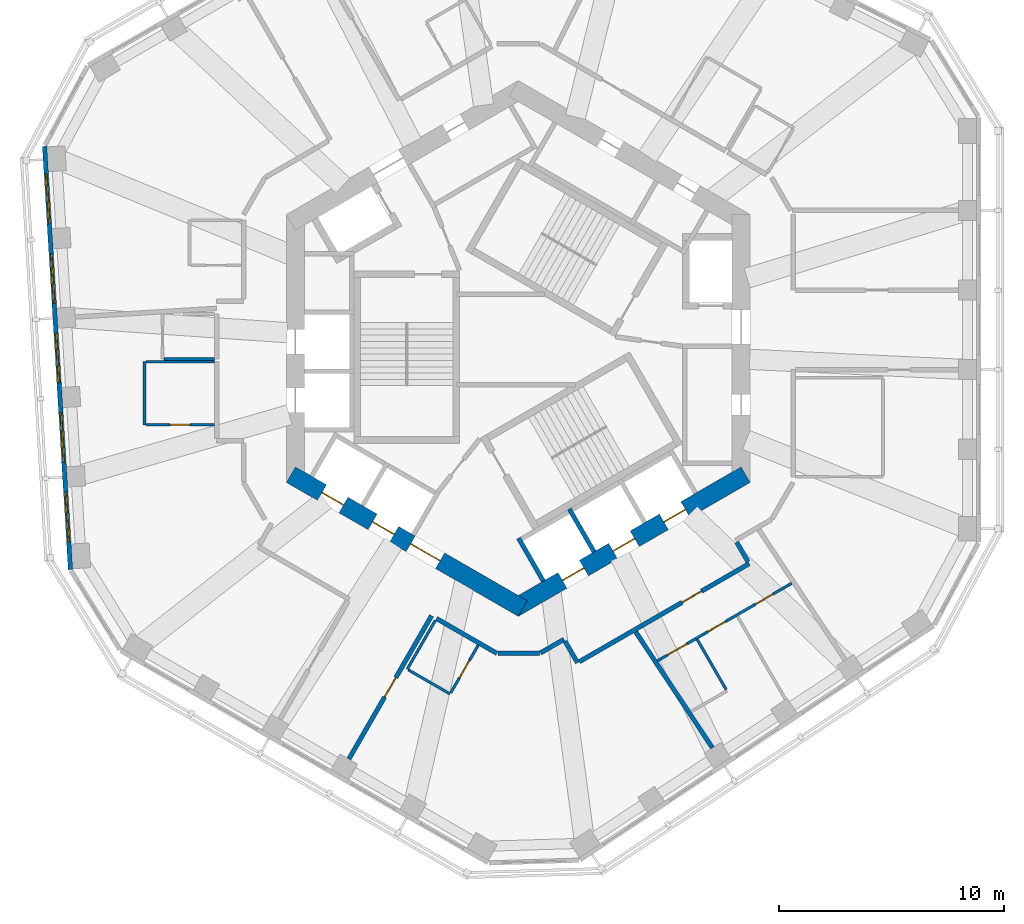
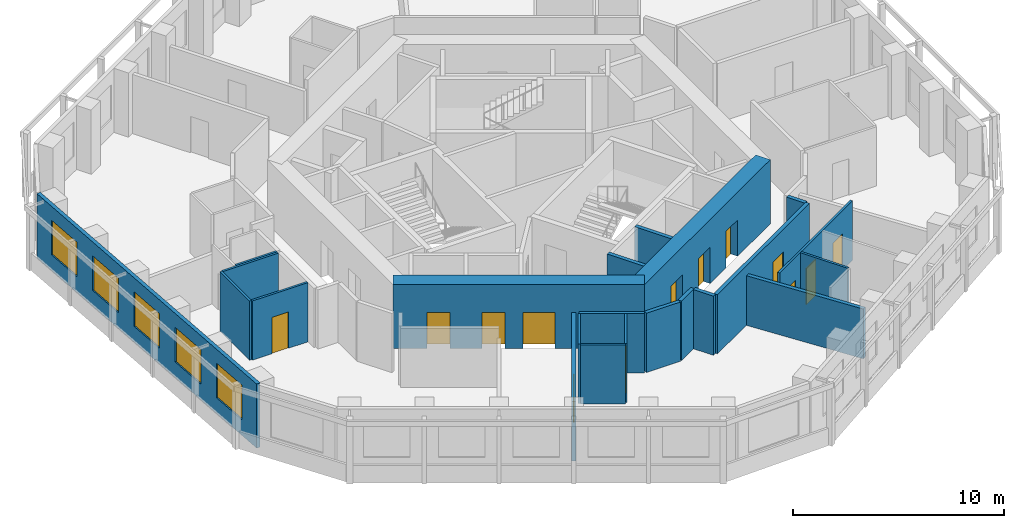
# One storey, part 4 of 11: 22 walls, 13 doors, 5 windows, 18 openings.
"""IFC4 building model written with IfcOpenShell, lengths in metres."""

from ifc_helpers import new_model, si_unit, direction, frame, frame_2d, origin, place, context, subcontext, project, spatial, rectangle, extrude, material, layer, layer_set, type_object, element, fill, save


model = new_model("IFC4")

# Units and contexts
model_context = context("Model", 3, precision=1e-05, world=origin(), true_north=direction((0.0, 1.0)))
body_context = subcontext(model_context, "Body", "Model", "MODEL_VIEW")
ifc_project = project(units=[si_unit("LENGTHUNIT", "METRE"), si_unit("AREAUNIT", "SQUARE_METRE"), si_unit("VOLUMEUNIT", "CUBIC_METRE"), si_unit("PLANEANGLEUNIT", "RADIAN"), si_unit("MASSUNIT", "GRAM", prefix="KILO")], contexts=[model_context])

# Site, building, storey
site_placement = place(None, origin())
site = spatial("IfcSite", under=ifc_project, at=site_placement, CompositionType="ELEMENT")
building_placement = place(site_placement, origin())
building = spatial("IfcBuilding", under=site, at=building_placement, Name="Vanh Sen Convention Tower", CompositionType="ELEMENT")
storey_placement = place(building_placement, frame((0.0, 0.0, 240.199951171875)))
storey = spatial("IfcBuildingStorey", under=building, at=storey_placement, Name="L59", CompositionType="ELEMENT", Elevation=240.199951171875)

# Walls
ifc_material_1 = material(Name="Moisture-resistant gypsum board on steel studs", Category="steel")
ifc_layer_1 = layer(ifc_material_1, 0.1201171875)
ifc_layer_set_1 = layer_set([ifc_layer_1], Name="Moisture-resistant gypsum board on steel studs")
wall_type_1 = type_object("IfcWallType", Name="Bathroom partition 120", PredefinedType="PARTITIONING", material=ifc_layer_set_1)
wall_1_placement = place(storey_placement, frame((-16.60107421875, -3.38671875, 0.0), z_axis=(0.0, 0.0, 1.0), x_axis=(0.0, 1.0, 0.0)))
element("IfcWall", 1, at=wall_1_placement, inside=storey, type_object=wall_type_1, Name="Bathroom partition 120", PredefinedType="PARTITIONING", context=body_context, shape_type="SweptSolid", body=[
    extrude(rectangle(XDim=2.800048828125, YDim=0.1201171875, at=frame_2d((1.39990234375, 0.0))), origin(), (0.0, 0.0, 1.0), 3.420166015625),
])
wall_2_placement = place(storey_placement, frame((-16.541015625, -0.586669921875, 0.0), z_axis=(0.0, 0.0, 1.0), x_axis=(1.0, 0.0, 0.0)))
element("IfcWall", 2, at=wall_2_placement, inside=storey, type_object=wall_type_1, Name="Bathroom partition 120", PredefinedType="PARTITIONING", context=body_context, shape_type="SweptSolid", body=[
    extrude(rectangle(XDim=3.0400390625, YDim=0.1201171875, at=frame_2d((1.52001953125, 0.0))), origin(), (0.0, 0.0, 1.0), 3.420166015625),
])

# Wall, opening, door
wall_3_placement = place(storey_placement, frame((-13.5009765625, -3.38671875, 0.0), z_axis=(0.0, 0.0, 1.0), x_axis=(-1.0, 0.0, 0.0)))
wall_3 = element("IfcWall", 3, at=wall_3_placement, inside=storey, type_object=wall_type_1, Name="Bathroom partition 120", PredefinedType="PARTITIONING", context=body_context, shape_type="SweptSolid", body=[
    extrude(rectangle(XDim=3.0400390625, YDim=0.1201171875, at=frame_2d((1.52001953125, 0.0))), origin(), (0.0, 0.0, 1.0), 3.420166015625),
])
opening_1_placement = place(wall_3_placement, frame((1.070068359375, 0.0, 0.0)))
opening_1 = element("IfcOpeningElement", 4, at=opening_1_placement, cuts=wall_3, Name="Opening D59111", PredefinedType="OPENING", context=body_context, shape_type="SweptSolid", body=[
    extrude(rectangle(XDim=0.89990234375, YDim=2.10009765625, at=frame_2d((0.449951171875, 1.050048828125))), frame((0.0, 0.070068359375, 0.0), z_axis=(0.0, -1.0, 0.0), x_axis=(1.0, 0.0, 0.0)), (0.0, 0.0, 1.0), 0.14013671875),
])
ifc_material_2 = material(Name="Laminate door in steel frame", Category="steel")
door_type_1 = type_object("IfcDoorType", Name="Room internal door 900", OperationType="SINGLE_SWING_LEFT", PredefinedType="DOOR", material=ifc_material_2)
door_1_placement = place(opening_1_placement, origin())
door_1 = element("IfcDoor", 5, at=door_1_placement, inside=storey, type_object=door_type_1, Name="Internal room door D59111", OperationType="SINGLE_SWING_LEFT", OverallHeight=2.10009765625, OverallWidth=0.89990234375, PredefinedType="DOOR", context=body_context, shape_type="SweptSolid", body=[
    extrude(rectangle(XDim=0.89990234375, YDim=2.10009765625, at=frame_2d((0.449951171875, 1.050048828125))), frame((0.0, 0.02490234375, 0.0), z_axis=(0.0, -1.0, 0.0), x_axis=(1.0, 0.0, 0.0)), (0.0, 0.0, 1.0), 0.050048828125),
])
fill(opening_1, door_1)

# Walls
wall_4_placement = place(storey_placement, frame((-13.5009765625, -0.466796875, 0.0), z_axis=(0.0, 0.0, 1.0), x_axis=(-1.0, 0.0, 0.0)))
element("IfcWall", 6, at=wall_4_placement, inside=storey, type_object=wall_type_1, Name="Bathroom partition 120", PredefinedType="PARTITIONING", context=body_context, shape_type="SweptSolid", body=[
    extrude(rectangle(XDim=2.239990234375, YDim=0.1201171875, at=frame_2d((1.1201171875, 0.0))), origin(), (0.0, 0.0, 1.0), 3.420166015625),
])
wall_5_placement = place(storey_placement, frame((-4.93359375, -14.2412109375, 0.0), z_axis=(0.0, 0.0, 1.0), x_axis=(0.500004234368, 0.866022959057, 0.0)))
element("IfcWall", 7, at=wall_5_placement, inside=storey, type_object=wall_type_1, Name="Bathroom partition 120", PredefinedType="PARTITIONING", context=body_context, shape_type="SweptSolid", body=[
    extrude(rectangle(XDim=2.5, YDim=0.1201171875, at=frame_2d((1.25, 0.0))), origin(), (0.0, 0.0, 1.0), 3.420166015625),
])
wall_6_placement = place(storey_placement, frame((-3.0283203125, -15.34130859375, 0.0), z_axis=(0.0, 0.0, 1.0), x_axis=(-0.86600889856, 0.500028586798, 0.0)))
element("IfcWall", 8, at=wall_6_placement, inside=storey, type_object=wall_type_1, Name="Bathroom partition 120", PredefinedType="PARTITIONING", context=body_context, shape_type="SweptSolid", body=[
    extrude(rectangle(XDim=2.139892578125, YDim=0.1201171875, at=frame_2d((1.06982421875, 0.0))), origin(), (0.0, 0.0, 1.0), 3.420166015625),
])

# Wall, opening, door
wall_7_placement = place(storey_placement, frame((-1.7783203125, -13.17626953125, 0.0), z_axis=(0.0, 0.0, 1.0), x_axis=(-0.500002508028, -0.866023955769, 0.0)))
wall_7 = element("IfcWall", 9, at=wall_7_placement, inside=storey, type_object=wall_type_1, Name="Bathroom partition 120", PredefinedType="PARTITIONING", context=body_context, shape_type="SweptSolid", body=[
    extrude(rectangle(XDim=2.43994140625, YDim=0.1201171875, at=frame_2d((1.219970703125, 0.0))), origin(), (0.0, 0.0, 1.0), 3.420166015625),
])
opening_2_placement = place(wall_7_placement, frame((0.77001953125, 0.0, 0.0)))
opening_2 = element("IfcOpeningElement", 10, at=opening_2_placement, cuts=wall_7, Name="Opening D59113", PredefinedType="OPENING", context=body_context, shape_type="SweptSolid", body=[
    extrude(rectangle(XDim=0.89990234375, YDim=2.10009765625, at=frame_2d((0.449951171875, 1.050048828125))), frame((0.0, 0.070068359375, 0.0), z_axis=(0.0, -1.0, 0.0), x_axis=(1.0, 0.0, 0.0)), (0.0, 0.0, 1.0), 0.14013671875),
])
door_2_placement = place(opening_2_placement, origin())
door_2 = element("IfcDoor", 11, at=door_2_placement, inside=storey, type_object=door_type_1, Name="Internal room door D59113", OperationType="SINGLE_SWING_LEFT", OverallHeight=2.10009765625, OverallWidth=0.89990234375, PredefinedType="DOOR", context=body_context, shape_type="SweptSolid", body=[
    extrude(rectangle(XDim=0.89990234375, YDim=2.10009765625, at=frame_2d((0.449951171875, 1.050048828125))), frame((0.0, 0.02490234375, 0.0), z_axis=(0.0, -1.0, 0.0), x_axis=(1.0, 0.0, 0.0)), (0.0, 0.0, 1.0), 0.050048828125),
])
fill(opening_2, door_2)

# Wall, openings, doors
wall_8_placement = place(storey_placement, frame((6.1826171875, -13.867431640625, 0.0), z_axis=(0.0, 0.0, 1.0), x_axis=(0.866031365477, 0.499989673903, 0.0)))
wall_8 = element("IfcWall", 12, at=wall_8_placement, inside=storey, type_object=wall_type_1, Name="Bathroom partition 120", PredefinedType="PARTITIONING", context=body_context, shape_type="SweptSolid", body=[
    extrude(rectangle(XDim=6.880615234375, YDim=0.1201171875, at=frame_2d((3.4404296875, 0.0))), origin(), (0.0, 0.0, 1.0), 3.420166015625),
])
opening_3_placement = place(wall_8_placement, frame((0.5, 0.0, 0.0)))
opening_3 = element("IfcOpeningElement", 13, at=opening_3_placement, cuts=wall_8, Name="Opening D59115", PredefinedType="OPENING", context=body_context, shape_type="SweptSolid", body=[
    extrude(rectangle(XDim=1.0, YDim=2.10009765625, at=frame_2d((0.5, 1.050048828125))), frame((0.0, 0.070068359375, 0.0), z_axis=(0.0, -1.0, 0.0), x_axis=(1.0, 0.0, 0.0)), (0.0, 0.0, 1.0), 0.14013671875),
])
opening_4_placement = place(wall_8_placement, frame((2.58251953125, 0.0, 0.0)))
opening_4 = element("IfcOpeningElement", 14, at=opening_4_placement, cuts=wall_8, Name="Opening D59116", PredefinedType="OPENING", context=body_context, shape_type="SweptSolid", body=[
    extrude(rectangle(XDim=0.89990234375, YDim=2.10009765625, at=frame_2d((0.449951171875, 1.050048828125))), frame((0.0, 0.070068359375, 0.0), z_axis=(0.0, -1.0, 0.0), x_axis=(1.0, 0.0, 0.0)), (0.0, 0.0, 1.0), 0.14013671875),
])
opening_5_placement = place(wall_8_placement, frame((5.022705078125, 0.0, 0.0)))
opening_5 = element("IfcOpeningElement", 15, at=opening_5_placement, cuts=wall_8, Name="Opening D59117", PredefinedType="OPENING", context=body_context, shape_type="SweptSolid", body=[
    extrude(rectangle(XDim=0.89990234375, YDim=2.10009765625, at=frame_2d((0.449951171875, 1.050048828125))), frame((0.0, 0.070068359375, 0.0), z_axis=(0.0, -1.0, 0.0), x_axis=(1.0, 0.0, 0.0)), (0.0, 0.0, 1.0), 0.14013671875),
])
door_type_2 = type_object("IfcDoorType", Name="Accessible WC door 1000", OperationType="SINGLE_SWING_LEFT", PredefinedType="DOOR", material=ifc_material_2)
door_3_placement = place(opening_3_placement, origin())
door_3 = element("IfcDoor", 16, at=door_3_placement, inside=storey, type_object=door_type_2, Name="Accessible WC door D59115", OperationType="SINGLE_SWING_LEFT", OverallHeight=2.10009765625, OverallWidth=1.0, PredefinedType="DOOR", context=body_context, shape_type="SweptSolid", body=[
    extrude(rectangle(XDim=1.0, YDim=2.10009765625, at=frame_2d((0.5, 1.050048828125))), frame((0.0, 0.02490234375, 0.0), z_axis=(0.0, -1.0, 0.0), x_axis=(1.0, 0.0, 0.0)), (0.0, 0.0, 1.0), 0.050048828125),
])
fill(opening_3, door_3)
door_4_placement = place(opening_4_placement, origin())
door_4 = element("IfcDoor", 17, at=door_4_placement, inside=storey, type_object=door_type_1, Name="Internal room door D59116", OperationType="SINGLE_SWING_LEFT", OverallHeight=2.10009765625, OverallWidth=0.89990234375, PredefinedType="DOOR", context=body_context, shape_type="SweptSolid", body=[
    extrude(rectangle(XDim=0.89990234375, YDim=2.10009765625, at=frame_2d((0.449951171875, 1.050048828125))), frame((0.0, 0.02490234375, 0.0), z_axis=(0.0, -1.0, 0.0), x_axis=(1.0, 0.0, 0.0)), (0.0, 0.0, 1.0), 0.050048828125),
])
fill(opening_4, door_4)
door_5_placement = place(opening_5_placement, origin())
door_5 = element("IfcDoor", 18, at=door_5_placement, inside=storey, type_object=door_type_1, Name="Internal room door D59117", OperationType="SINGLE_SWING_LEFT", OverallHeight=2.10009765625, OverallWidth=0.89990234375, PredefinedType="DOOR", context=body_context, shape_type="SweptSolid", body=[
    extrude(rectangle(XDim=0.89990234375, YDim=2.10009765625, at=frame_2d((0.449951171875, 1.050048828125))), frame((0.0, 0.02490234375, 0.0), z_axis=(0.0, -1.0, 0.0), x_axis=(1.0, 0.0, 0.0)), (0.0, 0.0, 1.0), 0.050048828125),
])
fill(opening_5, door_5)

# Wall
wall_9_placement = place(storey_placement, frame((9.23486328125, -15.15380859375, 0.0), z_axis=(0.0, 0.0, 1.0), x_axis=(-0.500006411147, 0.866021702275, 0.0)))
element("IfcWall", 19, at=wall_9_placement, inside=storey, type_object=wall_type_1, Name="Bathroom partition 120", PredefinedType="PARTITIONING", context=body_context, shape_type="SweptSolid", body=[
    extrude(rectangle(XDim=2.580078125, YDim=0.1201171875, at=frame_2d((1.2900390625, 0.0))), origin(), (0.0, 0.0, 1.0), 3.420166015625),
])

# Wall, openings, doors
ifc_material_3 = material(Name="Concrete C60/75", Category="concrete")
ifc_layer_2 = layer(ifc_material_3, 0.800048828125)
ifc_layer_set_2 = layer_set([ifc_layer_2], Name="Concrete C60/75")
wall_type_2 = type_object("IfcWallType", Name="Core outer wall 800 C60/75", PredefinedType="SHEAR", material=ifc_layer_set_2)
wall_10_placement = place(storey_placement, frame((-10.10009765625, -5.600341796875, 0.0), z_axis=(0.0, 0.0, 1.0), x_axis=(0.866023897231, -0.500002609418, 0.0)))
wall_10 = element("IfcWall", 20, at=wall_10_placement, inside=storey, type_object=wall_type_2, Name="Core wall face SW L59", PredefinedType="SHEAR", context=body_context, shape_type="SweptSolid", body=[
    extrude(rectangle(XDim=11.8935546875, YDim=0.800048828125, at=frame_2d((5.94677734375, 0.0))), origin(), (0.0, 0.0, 1.0), 3.699951171875),
])
opening_6_placement = place(wall_10_placement, frame((6.146728515625, 0.0, 0.0)))
opening_6 = element("IfcOpeningElement", 21, at=opening_6_placement, cuts=wall_10, Name="Opening D59003", PredefinedType="OPENING", context=body_context, shape_type="SweptSolid", body=[
    extrude(rectangle(XDim=1.5, YDim=2.10009765625, at=frame_2d((0.75, 1.050048828125))), frame((0.0, 0.409912109375, 0.0), z_axis=(0.0, -1.0, 0.0), x_axis=(1.0, 0.0, 0.0)), (0.0, 0.0, 1.0), 0.820068359375),
])
opening_7_placement = place(wall_10_placement, frame((1.5966796875, 0.0, 0.0)))
opening_7 = element("IfcOpeningElement", 22, at=opening_7_placement, cuts=wall_10, Name="Opening LD-HR3", PredefinedType="OPENING", context=body_context, shape_type="SweptSolid", body=[
    extrude(rectangle(XDim=1.10009765625, YDim=2.10009765625, at=frame_2d((0.550048828125, 1.050048828125))), frame((0.0, 0.409912109375, 0.0), z_axis=(0.0, -1.0, 0.0), x_axis=(1.0, 0.0, 0.0)), (0.0, 0.0, 1.0), 0.820068359375),
])
opening_8_placement = place(wall_10_placement, frame((4.19677734375, 0.0, 0.0)))
opening_8 = element("IfcOpeningElement", 23, at=opening_8_placement, cuts=wall_10, Name="Opening LD-HR4", PredefinedType="OPENING", context=body_context, shape_type="SweptSolid", body=[
    extrude(rectangle(XDim=1.10009765625, YDim=2.10009765625, at=frame_2d((0.550048828125, 1.050048828125))), frame((0.0, 0.409912109375, 0.0), z_axis=(0.0, -1.0, 0.0), x_axis=(1.0, 0.0, 0.0)), (0.0, 0.0, 1.0), 0.820068359375),
])
ifc_material_4 = material(Name="Stainless steel", Category="steel")
door_type_3 = type_object("IfcDoorType", Name="Lift landing door 1100", OperationType="DOUBLE_DOOR_SLIDING", PredefinedType="DOOR", material=ifc_material_4)
door_6_placement = place(opening_7_placement, origin())
door_6 = element("IfcDoor", 24, at=door_6_placement, inside=storey, type_object=door_type_3, Name="Lift HR3 landing door LD-HR3", OperationType="DOUBLE_DOOR_SLIDING", OverallHeight=2.10009765625, OverallWidth=1.10009765625, PredefinedType="DOOR", context=body_context, shape_type="SweptSolid", body=[
    extrude(rectangle(XDim=1.10009765625, YDim=2.10009765625, at=frame_2d((0.550048828125, 1.050048828125))), frame((0.0, 0.02490234375, 0.0), z_axis=(0.0, -1.0, 0.0), x_axis=(1.0, 0.0, 0.0)), (0.0, 0.0, 1.0), 0.050048828125),
])
fill(opening_7, door_6)
door_7_placement = place(opening_8_placement, origin())
door_7 = element("IfcDoor", 25, at=door_7_placement, inside=storey, type_object=door_type_3, Name="Lift HR4 landing door LD-HR4", OperationType="DOUBLE_DOOR_SLIDING", OverallHeight=2.10009765625, OverallWidth=1.10009765625, PredefinedType="DOOR", context=body_context, shape_type="SweptSolid", body=[
    extrude(rectangle(XDim=1.10009765625, YDim=2.10009765625, at=frame_2d((0.550048828125, 1.050048828125))), frame((0.0, 0.02490234375, 0.0), z_axis=(0.0, -1.0, 0.0), x_axis=(1.0, 0.0, 0.0)), (0.0, 0.0, 1.0), 0.050048828125),
])
fill(opening_8, door_7)
ifc_material_5 = material(Name="Steel S355", Category="steel")
door_type_4 = type_object("IfcDoorType", Name="Stair lobby door 1500", OperationType="DOUBLE_DOOR_SINGLE_SWING", PredefinedType="DOOR", material=ifc_material_5)
door_8_placement = place(opening_6_placement, origin())
door_8 = element("IfcDoor", 26, at=door_8_placement, inside=storey, type_object=door_type_4, Name="Stair lobby door D59003", OperationType="DOUBLE_DOOR_SINGLE_SWING", OverallHeight=2.10009765625, OverallWidth=1.5, PredefinedType="DOOR", context=body_context, shape_type="SweptSolid", body=[
    extrude(rectangle(XDim=1.5, YDim=2.10009765625, at=frame_2d((0.75, 1.050048828125))), frame((0.0, 0.02490234375, 0.0), z_axis=(0.0, -1.0, 0.0), x_axis=(1.0, 0.0, 0.0)), (0.0, 0.0, 1.0), 0.050048828125),
])
fill(opening_6, door_8)

wall_11_placement = place(storey_placement, frame((-0.199951171875, -11.547119140625, 0.0), z_axis=(0.0, 0.0, 1.0), x_axis=(0.866023897231, 0.500002609418, 0.0)))
wall_11 = element("IfcWall", 27, at=wall_11_placement, inside=storey, type_object=wall_type_2, Name="Core wall face SE L59", PredefinedType="SHEAR", context=body_context, shape_type="SweptSolid", body=[
    extrude(rectangle(XDim=11.8935546875, YDim=0.800048828125, at=frame_2d((5.94677734375, 0.0))), origin(), (0.0, 0.0, 1.0), 3.699951171875),
])
opening_9_placement = place(wall_11_placement, frame((2.49658203125, 0.0, 0.0)))
opening_9 = element("IfcOpeningElement", 28, at=opening_9_placement, cuts=wall_11, Name="Opening LD-HR5", PredefinedType="OPENING", context=body_context, shape_type="SweptSolid", body=[
    extrude(rectangle(XDim=1.10009765625, YDim=2.10009765625, at=frame_2d((0.550048828125, 1.050048828125))), frame((0.0, 0.409912109375, 0.0), z_axis=(0.0, -1.0, 0.0), x_axis=(1.0, 0.0, 0.0)), (0.0, 0.0, 1.0), 0.820068359375),
])
opening_10_placement = place(wall_11_placement, frame((5.0966796875, 0.0, 0.0)))
opening_10 = element("IfcOpeningElement", 29, at=opening_10_placement, cuts=wall_11, Name="Opening LD-HR6", PredefinedType="OPENING", context=body_context, shape_type="SweptSolid", body=[
    extrude(rectangle(XDim=1.10009765625, YDim=2.10009765625, at=frame_2d((0.550048828125, 1.050048828125))), frame((0.0, 0.409912109375, 0.0), z_axis=(0.0, -1.0, 0.0), x_axis=(1.0, 0.0, 0.0)), (0.0, 0.0, 1.0), 0.820068359375),
])
opening_11_placement = place(wall_11_placement, frame((7.69677734375, 0.0, 0.0)))
opening_11 = element("IfcOpeningElement", 30, at=opening_11_placement, cuts=wall_11, Name="Opening LD-SV1", PredefinedType="OPENING", context=body_context, shape_type="SweptSolid", body=[
    extrude(rectangle(XDim=1.10009765625, YDim=2.10009765625, at=frame_2d((0.550048828125, 1.050048828125))), frame((0.0, 0.409912109375, 0.0), z_axis=(0.0, -1.0, 0.0), x_axis=(1.0, 0.0, 0.0)), (0.0, 0.0, 1.0), 0.820068359375),
])
door_9_placement = place(opening_9_placement, origin())
door_9 = element("IfcDoor", 31, at=door_9_placement, inside=storey, type_object=door_type_3, Name="Lift HR5 landing door LD-HR5", OperationType="DOUBLE_DOOR_SLIDING", OverallHeight=2.10009765625, OverallWidth=1.10009765625, PredefinedType="DOOR", context=body_context, shape_type="SweptSolid", body=[
    extrude(rectangle(XDim=1.10009765625, YDim=2.10009765625, at=frame_2d((0.550048828125, 1.050048828125))), frame((0.0, 0.02490234375, 0.0), z_axis=(0.0, -1.0, 0.0), x_axis=(1.0, 0.0, 0.0)), (0.0, 0.0, 1.0), 0.050048828125),
])
fill(opening_9, door_9)
door_10_placement = place(opening_10_placement, origin())
door_10 = element("IfcDoor", 32, at=door_10_placement, inside=storey, type_object=door_type_3, Name="Lift HR6 landing door LD-HR6", OperationType="DOUBLE_DOOR_SLIDING", OverallHeight=2.10009765625, OverallWidth=1.10009765625, PredefinedType="DOOR", context=body_context, shape_type="SweptSolid", body=[
    extrude(rectangle(XDim=1.10009765625, YDim=2.10009765625, at=frame_2d((0.550048828125, 1.050048828125))), frame((0.0, 0.02490234375, 0.0), z_axis=(0.0, -1.0, 0.0), x_axis=(1.0, 0.0, 0.0)), (0.0, 0.0, 1.0), 0.050048828125),
])
fill(opening_10, door_10)
door_11_placement = place(opening_11_placement, origin())
door_11 = element("IfcDoor", 33, at=door_11_placement, inside=storey, type_object=door_type_3, Name="Lift SV1 landing door LD-SV1", OperationType="DOUBLE_DOOR_SLIDING", OverallHeight=2.10009765625, OverallWidth=1.10009765625, PredefinedType="DOOR", context=body_context, shape_type="SweptSolid", body=[
    extrude(rectangle(XDim=1.10009765625, YDim=2.10009765625, at=frame_2d((0.550048828125, 1.050048828125))), frame((0.0, 0.02490234375, 0.0), z_axis=(0.0, -1.0, 0.0), x_axis=(1.0, 0.0, 0.0)), (0.0, 0.0, 1.0), 0.050048828125),
])
fill(opening_11, door_11)

# Wall, opening, door
ifc_material_6 = material(Name="Gypsum board on steel studs with mineral wool", Category="steel")
ifc_layer_3 = layer(ifc_material_6, 0.199951171875)
ifc_layer_set_3 = layer_set([ifc_layer_3], Name="Gypsum board on steel studs with mineral wool")
wall_type_3 = type_object("IfcWallType", Name="Corridor partition wall 200", PredefinedType="PARTITIONING", material=ifc_layer_set_3)
wall_12_placement = place(storey_placement, frame((-7.52490234375, -18.229736328125, 0.0), z_axis=(0.0, 0.0, 1.0), x_axis=(0.499983153418, 0.866035129944, 0.0)))
wall_12 = element("IfcWall", 34, at=wall_12_placement, inside=storey, type_object=wall_type_3, Name="Corridor partition wall 200", PredefinedType="PARTITIONING", context=body_context, shape_type="SweptSolid", body=[
    extrude(rectangle(XDim=7.349853515625, YDim=0.199951171875, at=frame_2d((3.6748046875, 0.0))), origin(), (0.0, 0.0, 1.0), 3.420166015625),
])
opening_12_placement = place(wall_12_placement, frame((3.175048828125, 0.0, 0.0)))
opening_12 = element("IfcOpeningElement", 35, at=opening_12_placement, cuts=wall_12, Name="Opening D59112", PredefinedType="OPENING", context=body_context, shape_type="SweptSolid", body=[
    extrude(rectangle(XDim=1.0, YDim=2.10009765625, at=frame_2d((0.5, 1.050048828125))), frame((0.0, 0.10986328125, 0.0), z_axis=(0.0, -1.0, 0.0), x_axis=(1.0, 0.0, 0.0)), (0.0, 0.0, 1.0), 0.219970703125),
])
ifc_material_7 = material(Name="Glazed fire door in steel frame", Category="steel")
door_type_5 = type_object("IfcDoorType", Name="Tenant entrance door 1000", OperationType="SINGLE_SWING_LEFT", PredefinedType="DOOR", material=ifc_material_7)
door_12_placement = place(opening_12_placement, origin())
door_12 = element("IfcDoor", 36, at=door_12_placement, inside=storey, type_object=door_type_5, Name="Tenant suite entrance door D59112", OperationType="SINGLE_SWING_LEFT", OverallHeight=2.10009765625, OverallWidth=1.0, PredefinedType="DOOR", context=body_context, shape_type="SweptSolid", body=[
    extrude(rectangle(XDim=1.0, YDim=2.10009765625, at=frame_2d((0.5, 1.050048828125))), frame((0.0, 0.02490234375, 0.0), z_axis=(0.0, -1.0, 0.0), x_axis=(1.0, 0.0, 0.0)), (0.0, 0.0, 1.0), 0.050048828125),
])
fill(opening_12, door_12)

# Walls
wall_13_placement = place(storey_placement, frame((-3.633544921875, -11.989501953125, 0.0), z_axis=(0.0, 0.0, 1.0), x_axis=(0.866033392248, -0.499986163319, 0.0)))
element("IfcWall", 37, at=wall_13_placement, inside=storey, type_object=wall_type_3, Name="Corridor partition wall 200", PredefinedType="PARTITIONING", context=body_context, shape_type="SweptSolid", body=[
    extrude(rectangle(XDim=3.0986328125, YDim=0.199951171875, at=frame_2d((1.54931640625, 0.0))), origin(), (0.0, 0.0, 1.0), 3.420166015625),
])
wall_14_placement = place(storey_placement, frame((-0.909912109375, -13.538818359375, 0.0), z_axis=(0.0, 0.0, 1.0), x_axis=(1.0, 0.0, 0.0)))
element("IfcWall", 38, at=wall_14_placement, inside=storey, type_object=wall_type_3, Name="Corridor partition wall 200", PredefinedType="PARTITIONING", context=body_context, shape_type="SweptSolid", body=[
    extrude(rectangle(XDim=1.85986328125, YDim=0.199951171875, at=frame_2d((0.929931640625, 0.0))), origin(), (0.0, 0.0, 1.0), 3.420166015625),
])
wall_15_placement = place(storey_placement, frame((0.984619140625, -13.518798828125, 0.0), z_axis=(0.0, 0.0, 1.0), x_axis=(0.866054082991, 0.499950322867, 0.0)))
element("IfcWall", 39, at=wall_15_placement, inside=storey, type_object=wall_type_3, Name="Corridor partition wall 200", PredefinedType="PARTITIONING", context=body_context, shape_type="SweptSolid", body=[
    extrude(rectangle(XDim=1.20556640625, YDim=0.199951171875, at=frame_2d((0.602783203125, 0.0))), origin(), (0.0, 0.0, 1.0), 3.420166015625),
])
wall_16_placement = place(storey_placement, frame((2.078857421875, -13.002685546875, 0.0), z_axis=(0.0, 0.0, 1.0), x_axis=(0.500074377092, -0.865982457891, 0.0)))
element("IfcWall", 40, at=wall_16_placement, inside=storey, type_object=wall_type_3, Name="Corridor partition wall 200", PredefinedType="PARTITIONING", context=body_context, shape_type="SweptSolid", body=[
    extrude(rectangle(XDim=1.100830078125, YDim=0.199951171875, at=frame_2d((0.55029296875, 0.0))), origin(), (0.0, 0.0, 1.0), 3.420166015625),
])

# Wall, opening, door
wall_17_placement = place(storey_placement, frame((2.7158203125, -13.906005859375, 0.0), z_axis=(0.0, 0.0, 1.0), x_axis=(0.866040290674, 0.499974214264, 0.0)))
wall_17 = element("IfcWall", 41, at=wall_17_placement, inside=storey, type_object=wall_type_3, Name="Corridor partition wall 200", PredefinedType="PARTITIONING", context=body_context, shape_type="SweptSolid", body=[
    extrude(rectangle(XDim=8.7021484375, YDim=0.199951171875, at=frame_2d((4.35107421875, 0.0))), origin(), (0.0, 0.0, 1.0), 3.420166015625),
])
opening_13_placement = place(wall_17_placement, frame((5.259765625, 0.0, 0.0)))
opening_13 = element("IfcOpeningElement", 42, at=opening_13_placement, cuts=wall_17, Name="Opening D59114", PredefinedType="OPENING", context=body_context, shape_type="SweptSolid", body=[
    extrude(rectangle(XDim=1.0, YDim=2.10009765625, at=frame_2d((0.5, 1.050048828125))), frame((0.0, 0.10986328125, 0.0), z_axis=(0.0, -1.0, 0.0), x_axis=(1.0, 0.0, 0.0)), (0.0, 0.0, 1.0), 0.219970703125),
])
ifc_material_8 = material(Name="Timber fire door in steel frame", Category="steel")
door_type_6 = type_object("IfcDoorType", Name="Floor room door 1000", OperationType="SINGLE_SWING_LEFT", PredefinedType="DOOR", material=ifc_material_8)
door_13_placement = place(opening_13_placement, origin())
door_13 = element("IfcDoor", 43, at=door_13_placement, inside=storey, type_object=door_type_6, Name="Meeting and amenity room door D59114", OperationType="SINGLE_SWING_LEFT", OverallHeight=2.10009765625, OverallWidth=1.0, PredefinedType="DOOR", context=body_context, shape_type="SweptSolid", body=[
    extrude(rectangle(XDim=1.0, YDim=2.10009765625, at=frame_2d((0.5, 1.050048828125))), frame((0.0, 0.02490234375, 0.0), z_axis=(0.0, -1.0, 0.0), x_axis=(1.0, 0.0, 0.0)), (0.0, 0.0, 1.0), 0.050048828125),
])
fill(opening_13, door_13)

# Wall
wall_18_placement = place(storey_placement, frame((10.2021484375, -9.468505859375, 0.0), z_axis=(0.0, 0.0, 1.0), x_axis=(-0.499968756647, 0.866043441391, 0.0)))
element("IfcWall", 44, at=wall_18_placement, inside=storey, type_object=wall_type_3, Name="Corridor partition wall 200", PredefinedType="PARTITIONING", context=body_context, shape_type="SweptSolid", body=[
    extrude(rectangle(XDim=1.0009765625, YDim=0.199951171875, at=frame_2d((0.50048828125, 0.0))), origin(), (0.0, 0.0, 1.0), 3.420166015625),
])

# Wall, openings, windows
ifc_material_9 = material(Name="Insulated lightweight infill wall")
ifc_layer_4 = layer(ifc_material_9, 0.199951171875)
ifc_layer_set_4 = layer_set([ifc_layer_4], Name="Insulated lightweight infill wall")
wall_type_4 = type_object("IfcWallType", Name="External wall 200", PredefinedType="STANDARD", material=ifc_layer_set_4)
wall_19_placement = place(storey_placement, frame((-21.03759765625, 8.983642578125, 0.0), z_axis=(0.0, 0.0, 1.0), x_axis=(0.061043935634, -0.998135079998, 0.0)))
wall_19 = element("IfcWall", 45, at=wall_19_placement, inside=storey, type_object=wall_type_4, Name="External wall W L59", PredefinedType="STANDARD", context=body_context, shape_type="SweptSolid", body=[
    extrude(rectangle(XDim=18.84130859375, YDim=0.199951171875, at=frame_2d((9.420654296875, 0.0))), origin(), (0.0, 0.0, 1.0), 3.699951171875),
])
opening_14_placement = place(wall_19_placement, frame((1.252685546875, 0.0, 0.89990234375)))
opening_14 = element("IfcOpeningElement", 46, at=opening_14_placement, cuts=wall_19, Name="Opening WO3-W1", PredefinedType="OPENING", context=body_context, shape_type="SweptSolid", body=[
    extrude(rectangle(XDim=2.199951171875, YDim=2.0, at=frame_2d((1.10009765625, 1.0))), frame((0.0, 0.10986328125, 0.0), z_axis=(0.0, -1.0, 0.0), x_axis=(1.0, 0.0, 0.0)), (0.0, 0.0, 1.0), 0.219970703125),
])
opening_15_placement = place(wall_19_placement, frame((4.7861328125, 0.0, 0.89990234375)))
opening_15 = element("IfcOpeningElement", 47, at=opening_15_placement, cuts=wall_19, Name="Opening WO3-W2", PredefinedType="OPENING", context=body_context, shape_type="SweptSolid", body=[
    extrude(rectangle(XDim=2.199951171875, YDim=2.0, at=frame_2d((1.10009765625, 1.0))), frame((0.0, 0.10986328125, 0.0), z_axis=(0.0, -1.0, 0.0), x_axis=(1.0, 0.0, 0.0)), (0.0, 0.0, 1.0), 0.219970703125),
])
opening_16_placement = place(wall_19_placement, frame((8.31982421875, 0.0, 0.89990234375)))
opening_16 = element("IfcOpeningElement", 48, at=opening_16_placement, cuts=wall_19, Name="Opening WO3-W3", PredefinedType="OPENING", context=body_context, shape_type="SweptSolid", body=[
    extrude(rectangle(XDim=2.199951171875, YDim=2.0, at=frame_2d((1.10009765625, 1.0))), frame((0.0, 0.10986328125, 0.0), z_axis=(0.0, -1.0, 0.0), x_axis=(1.0, 0.0, 0.0)), (0.0, 0.0, 1.0), 0.219970703125),
])
opening_17_placement = place(wall_19_placement, frame((11.853515625, 0.0, 0.89990234375)))
opening_17 = element("IfcOpeningElement", 49, at=opening_17_placement, cuts=wall_19, Name="Opening WO3-W4", PredefinedType="OPENING", context=body_context, shape_type="SweptSolid", body=[
    extrude(rectangle(XDim=2.199951171875, YDim=2.0, at=frame_2d((1.10009765625, 1.0))), frame((0.0, 0.10986328125, 0.0), z_axis=(0.0, -1.0, 0.0), x_axis=(1.0, 0.0, 0.0)), (0.0, 0.0, 1.0), 0.219970703125),
])
opening_18_placement = place(wall_19_placement, frame((15.38720703125, 0.0, 0.89990234375)))
opening_18 = element("IfcOpeningElement", 50, at=opening_18_placement, cuts=wall_19, Name="Opening WO3-W5", PredefinedType="OPENING", context=body_context, shape_type="SweptSolid", body=[
    extrude(rectangle(XDim=2.199951171875, YDim=2.0, at=frame_2d((1.10009765625, 1.0))), frame((0.0, 0.10986328125, 0.0), z_axis=(0.0, -1.0, 0.0), x_axis=(1.0, 0.0, 0.0)), (0.0, 0.0, 1.0), 0.219970703125),
])
ifc_material_10 = material(Name="Aluminium frame with clear low-emissivity glass", Category="aluminium")
window_type = type_object("IfcWindowType", Name="Office window 2200 x 2000", PartitioningType="SINGLE_PANEL", PredefinedType="WINDOW", material=ifc_material_10)
window_1_placement = place(opening_14_placement, origin())
window_1 = element("IfcWindow", 51, at=window_1_placement, inside=storey, type_object=window_type, Name="Window WO3-W1", OverallHeight=2.0, OverallWidth=2.199951171875, PartitioningType="SINGLE_PANEL", PredefinedType="WINDOW", context=body_context, shape_type="SweptSolid", body=[
    extrude(rectangle(XDim=2.199951171875, YDim=2.0, at=frame_2d((1.10009765625, 1.0))), frame((0.0, 0.030029296875, 0.0), z_axis=(0.0, -1.0, 0.0), x_axis=(1.0, 0.0, 0.0)), (0.0, 0.0, 1.0), 0.06005859375),
])
fill(opening_14, window_1)
window_2_placement = place(opening_15_placement, origin())
window_2 = element("IfcWindow", 52, at=window_2_placement, inside=storey, type_object=window_type, Name="Window WO3-W2", OverallHeight=2.0, OverallWidth=2.199951171875, PartitioningType="SINGLE_PANEL", PredefinedType="WINDOW", context=body_context, shape_type="SweptSolid", body=[
    extrude(rectangle(XDim=2.199951171875, YDim=2.0, at=frame_2d((1.10009765625, 1.0))), frame((0.0, 0.030029296875, 0.0), z_axis=(0.0, -1.0, 0.0), x_axis=(1.0, 0.0, 0.0)), (0.0, 0.0, 1.0), 0.06005859375),
])
fill(opening_15, window_2)
window_3_placement = place(opening_16_placement, origin())
window_3 = element("IfcWindow", 53, at=window_3_placement, inside=storey, type_object=window_type, Name="Window WO3-W3", OverallHeight=2.0, OverallWidth=2.199951171875, PartitioningType="SINGLE_PANEL", PredefinedType="WINDOW", context=body_context, shape_type="SweptSolid", body=[
    extrude(rectangle(XDim=2.199951171875, YDim=2.0, at=frame_2d((1.10009765625, 1.0))), frame((0.0, 0.030029296875, 0.0), z_axis=(0.0, -1.0, 0.0), x_axis=(1.0, 0.0, 0.0)), (0.0, 0.0, 1.0), 0.06005859375),
])
fill(opening_16, window_3)
window_4_placement = place(opening_17_placement, origin())
window_4 = element("IfcWindow", 54, at=window_4_placement, inside=storey, type_object=window_type, Name="Window WO3-W4", OverallHeight=2.0, OverallWidth=2.199951171875, PartitioningType="SINGLE_PANEL", PredefinedType="WINDOW", context=body_context, shape_type="SweptSolid", body=[
    extrude(rectangle(XDim=2.199951171875, YDim=2.0, at=frame_2d((1.10009765625, 1.0))), frame((0.0, 0.030029296875, 0.0), z_axis=(0.0, -1.0, 0.0), x_axis=(1.0, 0.0, 0.0)), (0.0, 0.0, 1.0), 0.06005859375),
])
fill(opening_17, window_4)
window_5_placement = place(opening_18_placement, origin())
window_5 = element("IfcWindow", 55, at=window_5_placement, inside=storey, type_object=window_type, Name="Window WO3-W5", OverallHeight=2.0, OverallWidth=2.199951171875, PartitioningType="SINGLE_PANEL", PredefinedType="WINDOW", context=body_context, shape_type="SweptSolid", body=[
    extrude(rectangle(XDim=2.199951171875, YDim=2.0, at=frame_2d((1.10009765625, 1.0))), frame((0.0, 0.030029296875, 0.0), z_axis=(0.0, -1.0, 0.0), x_axis=(1.0, 0.0, 0.0)), (0.0, 0.0, 1.0), 0.06005859375),
])
fill(opening_18, window_5)

# Walls
ifc_material_11 = material(Name="Concrete C40/50", Category="concrete")
ifc_layer_5 = layer(ifc_material_11, 0.199951171875)
ifc_layer_set_5 = layer_set([ifc_layer_5], Name="Concrete C40/50")
wall_type_5 = type_object("IfcWallType", Name="Lift shaft wall 200", PredefinedType="PARTITIONING", material=ifc_layer_set_5)
for number, where, z_axis, x_axis, name in (
    (56, (0.0126953125, -8.422119140625, 0.0), (0.0, 0.0, 1.0), (0.500077893725, -0.86598042715, 0.0), "Lift shaft wall L59"),
    (57, (2.264404296875, -7.1220703125, 0.0), (0.0, 0.0, 1.0), (0.500077893725, -0.86598042715, 0.0), "Lift shaft wall L59"),
):
    element("IfcWall", number, at=place(storey_placement, frame(where, z_axis=z_axis, x_axis=x_axis)), inside=storey, type_object=wall_type_5, Name=name, PredefinedType="PARTITIONING", context=body_context, shape_type="SweptSolid", body=[
        extrude(rectangle(XDim=2.199951171875, YDim=0.199951171875, at=frame_2d((1.10009765625, 0.0))), origin(), (0.0, 0.0, 1.0), 3.420166015625),
    ])
ifc_layer_6 = layer(ifc_material_6, 0.199951171875)
ifc_layer_set_6 = layer_set([ifc_layer_6], Name="Gypsum board on steel studs with mineral wool")
wall_type_6 = type_object("IfcWallType", Name="Tenant suite wall 200", PredefinedType="PARTITIONING", material=ifc_layer_set_6)
wall_20_placement = place(storey_placement, frame((8.623779296875, -17.736572265625, 0.0), z_axis=(0.0, 0.0, 1.0), x_axis=(-0.55193161762, 0.83388937484, 0.0)))
element("IfcWall", 58, at=wall_20_placement, inside=storey, type_object=wall_type_6, Name="Tenant suite wall 200", PredefinedType="PARTITIONING", context=body_context, shape_type="SweptSolid", body=[
    extrude(rectangle(XDim=6.1728515625, YDim=0.199951171875, at=frame_2d((3.08642578125, 0.0))), origin(), (0.0, 0.0, 1.0), 2.8701171875),
])

save(model, "model.ifc")
